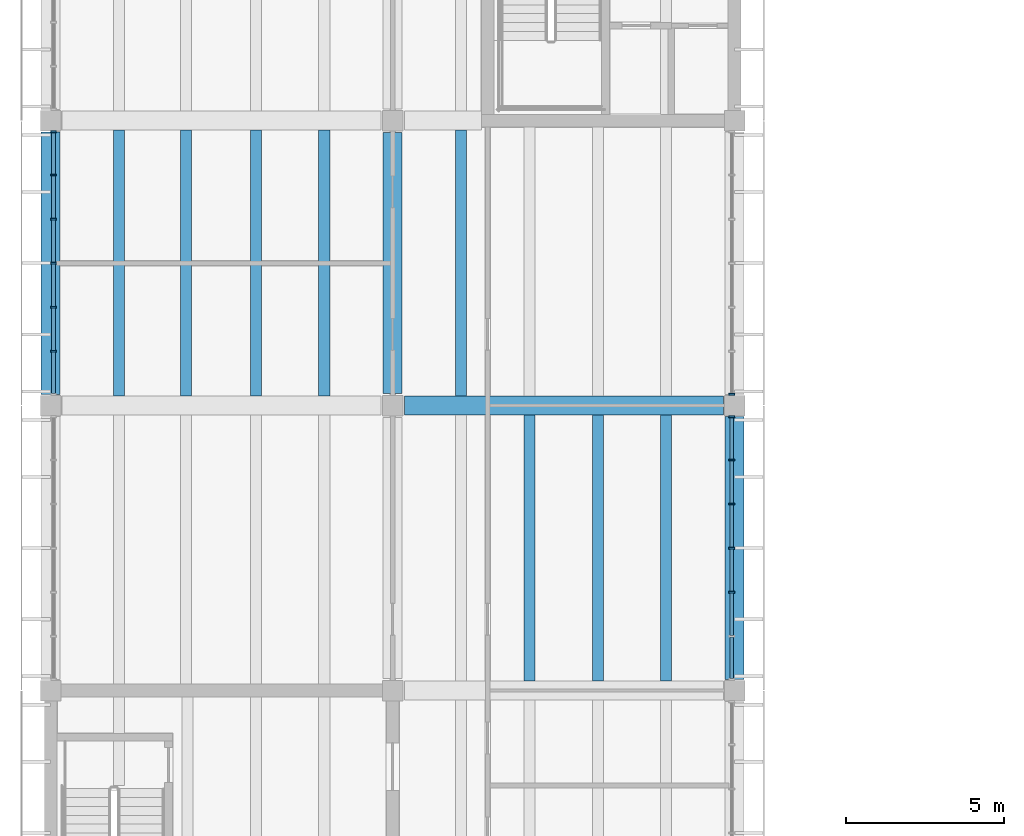
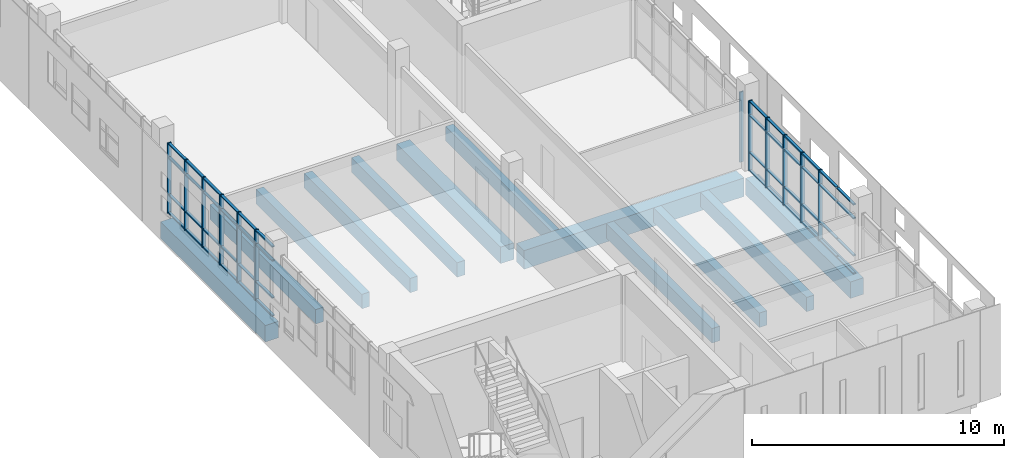
# One storey, part 13 of 92: 60 members, 12 beams, 3 elements without a shape of their own.
"""IFC4 building model written with IfcOpenShell, lengths in metres."""

from ifc_helpers import new_model, si_unit, direction, frame, origin, origin_2d, place, context, subcontext, project, spatial, rectangle, extrude, material, material_profile, profile_set, type_object, element, aggregate, save


model = new_model("IFC4")

# Units and contexts
model_context = context("Model", 3, precision=1e-05, world=origin(), true_north=direction((0.0, 1.0)))
body_context = subcontext(model_context, "Body", "Model", "MODEL_VIEW")
ifc_project = project(units=[si_unit("LENGTHUNIT", "METRE"), si_unit("AREAUNIT", "SQUARE_METRE"), si_unit("VOLUMEUNIT", "CUBIC_METRE"), si_unit("PLANEANGLEUNIT", "RADIAN"), si_unit("MASSUNIT", "GRAM", prefix="KILO")], contexts=[model_context])

# Site, building, storey
site_placement = place(None, origin())
site = spatial("IfcSite", under=ifc_project, at=site_placement, CompositionType="ELEMENT")
building_placement = place(site_placement, origin())
building = spatial("IfcBuilding", under=site, at=building_placement, Name="Merrow Basin Faculty of Sciences", CompositionType="ELEMENT")
storey_placement = place(building_placement, frame((0.0, 0.0, 4.5)))
storey = spatial("IfcBuildingStorey", under=building, at=storey_placement, Name="L01", CompositionType="ELEMENT", Elevation=4.5)

# Curtain wall, members
ifc_material_1 = material(Name="Aluminium alloy 6063", Category="aluminium")
curtain_wall_type = type_object("IfcCurtainWallType", Name="Bar unitised curtain wall 180", PredefinedType="NOTDEFINED", material=ifc_material_1)
curtain_wall_1_placement = place(storey_placement, origin())
curtain_wall_1 = element("IfcCurtainWall", 1, at=curtain_wall_1_placement, inside=storey, type_object=curtain_wall_type, Name="West curtain wall L01 2", PredefinedType="NOTDEFINED")
ifc_material_2 = material(Name="Aluminium alloy 6063", Category="aluminium")
ifc_material_profile_1 = material_profile(ifc_material_2, rectangle(XDim=0.179931640625, YDim=0.06005859375, at=origin_2d()))
ifc_profile_set_1 = profile_set([ifc_material_profile_1], Name="Aluminium alloy 6063")
member_type_1 = type_object("IfcMemberType", Name="Aluminium mullion 60x180", PredefinedType="MULLION", material=ifc_profile_set_1)
member_1_placement = place(storey_placement, frame((0.090087890625, 80.716552734375, 0.0), z_axis=(0.0, 0.0, 1.0), x_axis=(-1.0, 0.0, 0.0)))
member_1 = element("IfcMember", 2, at=member_1_placement, type_object=member_type_1, Name="CW1 mullion 2", PredefinedType="MULLION", context=body_context, shape_type="SweptSolid", body=[
    extrude(rectangle(XDim=0.179931640625, YDim=0.06005859375, at=origin_2d()), origin(), (0.0, 0.0, 1.0), 3.39990234375),
])
member_2_placement = place(storey_placement, frame((0.090087890625, 82.1083984375, 0.0), z_axis=(0.0, 0.0, 1.0), x_axis=(-1.0, 0.0, 0.0)))
member_2 = element("IfcMember", 3, at=member_2_placement, type_object=member_type_1, Name="CW1 mullion 3", PredefinedType="MULLION", context=body_context, shape_type="SweptSolid", body=[
    extrude(rectangle(XDim=0.179931640625, YDim=0.06005859375, at=origin_2d()), origin(), (0.0, 0.0, 1.0), 3.39990234375),
])
member_3_placement = place(storey_placement, frame((0.090087890625, 83.5, 0.0), z_axis=(0.0, 0.0, 1.0), x_axis=(-1.0, 0.0, 0.0)))
member_3 = element("IfcMember", 4, at=member_3_placement, type_object=member_type_1, Name="CW1 mullion 4", PredefinedType="MULLION", context=body_context, shape_type="SweptSolid", body=[
    extrude(rectangle(XDim=0.179931640625, YDim=0.06005859375, at=origin_2d()), origin(), (0.0, 0.0, 1.0), 3.39990234375),
])
member_4_placement = place(storey_placement, frame((0.090087890625, 84.8916015625, 0.0), z_axis=(0.0, 0.0, 1.0), x_axis=(-1.0, 0.0, 0.0)))
member_4 = element("IfcMember", 5, at=member_4_placement, type_object=member_type_1, Name="CW1 mullion 5", PredefinedType="MULLION", context=body_context, shape_type="SweptSolid", body=[
    extrude(rectangle(XDim=0.179931640625, YDim=0.06005859375, at=origin_2d()), origin(), (0.0, 0.0, 1.0), 3.39990234375),
])
member_5_placement = place(storey_placement, frame((0.090087890625, 86.283447265625, 0.0), z_axis=(0.0, 0.0, 1.0), x_axis=(-1.0, 0.0, 0.0)))
member_5 = element("IfcMember", 6, at=member_5_placement, type_object=member_type_1, Name="CW1 mullion 6", PredefinedType="MULLION", context=body_context, shape_type="SweptSolid", body=[
    extrude(rectangle(XDim=0.179931640625, YDim=0.06005859375, at=origin_2d()), origin(), (0.0, 0.0, 1.0), 3.39990234375),
])
member_6_placement = place(storey_placement, frame((0.090087890625, 87.64501953125, 0.0), z_axis=(0.0, 0.0, 1.0), x_axis=(-1.0, 0.0, 0.0)))
member_6 = element("IfcMember", 7, at=member_6_placement, type_object=member_type_1, Name="CW1 mullion 7", PredefinedType="MULLION", context=body_context, shape_type="SweptSolid", body=[
    extrude(rectangle(XDim=0.179931640625, YDim=0.06005859375, at=origin_2d()), origin(), (0.0, 0.0, 1.0), 3.39990234375),
])

curtain_wall_2_placement = place(storey_placement, origin())
curtain_wall_2 = element("IfcCurtainWall", 8, at=curtain_wall_2_placement, inside=storey, type_object=curtain_wall_type, Name="East curtain wall L01 2", PredefinedType="NOTDEFINED")
member_7_placement = place(storey_placement, frame((21.510009765625, 73.1083984375, 0.0), z_axis=(0.0, 0.0, 1.0), x_axis=(-1.0, 0.0, 0.0)))
member_7 = element("IfcMember", 9, at=member_7_placement, type_object=member_type_1, Name="CW1 mullion 3", PredefinedType="MULLION", context=body_context, shape_type="SweptSolid", body=[
    extrude(rectangle(XDim=0.179931640625, YDim=0.06005859375, at=origin_2d()), origin(), (0.0, 0.0, 1.0), 3.39990234375),
])
member_8_placement = place(storey_placement, frame((21.510009765625, 74.5, 0.0), z_axis=(0.0, 0.0, 1.0), x_axis=(-1.0, 0.0, 0.0)))
member_8 = element("IfcMember", 10, at=member_8_placement, type_object=member_type_1, Name="CW1 mullion 4", PredefinedType="MULLION", context=body_context, shape_type="SweptSolid", body=[
    extrude(rectangle(XDim=0.179931640625, YDim=0.06005859375, at=origin_2d()), origin(), (0.0, 0.0, 1.0), 3.39990234375),
])
member_9_placement = place(storey_placement, frame((21.510009765625, 75.8916015625, 0.0), z_axis=(0.0, 0.0, 1.0), x_axis=(-1.0, 0.0, 0.0)))
member_9 = element("IfcMember", 11, at=member_9_placement, type_object=member_type_1, Name="CW1 mullion 5", PredefinedType="MULLION", context=body_context, shape_type="SweptSolid", body=[
    extrude(rectangle(XDim=0.179931640625, YDim=0.06005859375, at=origin_2d()), origin(), (0.0, 0.0, 1.0), 3.39990234375),
])
member_10_placement = place(storey_placement, frame((21.510009765625, 77.283447265625, 0.0), z_axis=(0.0, 0.0, 1.0), x_axis=(-1.0, 0.0, 0.0)))
member_10 = element("IfcMember", 12, at=member_10_placement, type_object=member_type_1, Name="CW1 mullion 6", PredefinedType="MULLION", context=body_context, shape_type="SweptSolid", body=[
    extrude(rectangle(XDim=0.179931640625, YDim=0.06005859375, at=origin_2d()), origin(), (0.0, 0.0, 1.0), 3.39990234375),
])
member_11_placement = place(storey_placement, frame((21.510009765625, 78.64501953125, 0.0), z_axis=(0.0, 0.0, 1.0), x_axis=(-1.0, 0.0, 0.0)))
member_11 = element("IfcMember", 13, at=member_11_placement, type_object=member_type_1, Name="CW1 mullion 7", PredefinedType="MULLION", context=body_context, shape_type="SweptSolid", body=[
    extrude(rectangle(XDim=0.179931640625, YDim=0.06005859375, at=origin_2d()), origin(), (0.0, 0.0, 1.0), 3.39990234375),
])

# Curtain wall, member
curtain_wall_3_placement = place(storey_placement, origin())
curtain_wall_3 = element("IfcCurtainWall", 14, at=curtain_wall_3_placement, inside=storey, type_object=curtain_wall_type, Name="East curtain wall L01 3", PredefinedType="NOTDEFINED")
member_12_placement = place(storey_placement, frame((21.510009765625, 79.35498046875, 0.0), z_axis=(0.0, 0.0, 1.0), x_axis=(-1.0, 0.0, 0.0)))
member_12 = element("IfcMember", 15, at=member_12_placement, type_object=member_type_1, Name="CW1 mullion 1", PredefinedType="MULLION", context=body_context, shape_type="SweptSolid", body=[
    extrude(rectangle(XDim=0.179931640625, YDim=0.06005859375, at=origin_2d()), origin(), (0.0, 0.0, 1.0), 3.39990234375),
])
aggregate(curtain_wall_3, [member_12])

# Member
ifc_material_3 = material(Name="Aluminium alloy 6063", Category="aluminium")
ifc_material_profile_2 = material_profile(ifc_material_3, rectangle(XDim=0.1201171875, YDim=0.06005859375, at=origin_2d()))
ifc_profile_set_2 = profile_set([ifc_material_profile_2], Name="Aluminium alloy 6063")
member_type_2 = type_object("IfcMemberType", Name="Aluminium transom 60x120", PredefinedType="USERDEFINED", material=ifc_profile_set_2)
member_13_placement = place(storey_placement, frame((0.090087890625, 79.385009765625, 0.030029296875), z_axis=(0.0, 1.0, 0.0), x_axis=(-1.0, 0.0, 0.0)))
member_13 = element("IfcMember", 16, at=member_13_placement, type_object=member_type_2, Name="CW1 transom 1.1", ObjectType="TRANSOM", PredefinedType="USERDEFINED", context=body_context, shape_type="SweptSolid", body=[
    extrude(rectangle(XDim=0.1201171875, YDim=0.06005859375, at=origin_2d()), origin(), (0.0, 0.0, 1.0), 1.3017578125),
])

member_14_placement = place(storey_placement, frame((0.090087890625, 79.385009765625, 0.89990234375), z_axis=(0.0, 1.0, 0.0), x_axis=(-1.0, 0.0, 0.0)))
member_14 = element("IfcMember", 17, at=member_14_placement, type_object=member_type_2, Name="CW1 transom 1.2", ObjectType="TRANSOM", PredefinedType="USERDEFINED", context=body_context, shape_type="SweptSolid", body=[
    extrude(rectangle(XDim=0.1201171875, YDim=0.06005859375, at=origin_2d()), origin(), (0.0, 0.0, 1.0), 1.3017578125),
])

member_15_placement = place(storey_placement, frame((0.090087890625, 79.385009765625, 2.699951171875), z_axis=(0.0, 1.0, 0.0), x_axis=(-1.0, 0.0, 0.0)))
member_15 = element("IfcMember", 18, at=member_15_placement, type_object=member_type_2, Name="CW1 transom 1.3", ObjectType="TRANSOM", PredefinedType="USERDEFINED", context=body_context, shape_type="SweptSolid", body=[
    extrude(rectangle(XDim=0.1201171875, YDim=0.06005859375, at=origin_2d()), origin(), (0.0, 0.0, 1.0), 1.3017578125),
])

member_16_placement = place(storey_placement, frame((0.090087890625, 79.385009765625, 3.3701171875), z_axis=(0.0, 1.0, 0.0), x_axis=(-1.0, 0.0, 0.0)))
member_16 = element("IfcMember", 19, at=member_16_placement, type_object=member_type_2, Name="CW1 transom 1.4", ObjectType="TRANSOM", PredefinedType="USERDEFINED", context=body_context, shape_type="SweptSolid", body=[
    extrude(rectangle(XDim=0.1201171875, YDim=0.06005859375, at=origin_2d()), origin(), (0.0, 0.0, 1.0), 1.3017578125),
])

member_17_placement = place(storey_placement, frame((0.090087890625, 80.74658203125, 0.030029296875), z_axis=(0.0, 1.0, 0.0), x_axis=(-1.0, 0.0, 0.0)))
member_17 = element("IfcMember", 20, at=member_17_placement, type_object=member_type_2, Name="CW1 transom 2.1", ObjectType="TRANSOM", PredefinedType="USERDEFINED", context=body_context, shape_type="SweptSolid", body=[
    extrude(rectangle(XDim=0.1201171875, YDim=0.06005859375, at=origin_2d()), origin(), (0.0, 0.0, 1.0), 1.331787109375),
])

member_18_placement = place(storey_placement, frame((0.090087890625, 80.74658203125, 0.89990234375), z_axis=(0.0, 1.0, 0.0), x_axis=(-1.0, 0.0, 0.0)))
member_18 = element("IfcMember", 21, at=member_18_placement, type_object=member_type_2, Name="CW1 transom 2.2", ObjectType="TRANSOM", PredefinedType="USERDEFINED", context=body_context, shape_type="SweptSolid", body=[
    extrude(rectangle(XDim=0.1201171875, YDim=0.06005859375, at=origin_2d()), origin(), (0.0, 0.0, 1.0), 1.331787109375),
])

member_19_placement = place(storey_placement, frame((0.090087890625, 80.74658203125, 2.699951171875), z_axis=(0.0, 1.0, 0.0), x_axis=(-1.0, 0.0, 0.0)))
member_19 = element("IfcMember", 22, at=member_19_placement, type_object=member_type_2, Name="CW1 transom 2.3", ObjectType="TRANSOM", PredefinedType="USERDEFINED", context=body_context, shape_type="SweptSolid", body=[
    extrude(rectangle(XDim=0.1201171875, YDim=0.06005859375, at=origin_2d()), origin(), (0.0, 0.0, 1.0), 1.331787109375),
])

member_20_placement = place(storey_placement, frame((0.090087890625, 80.74658203125, 3.3701171875), z_axis=(0.0, 1.0, 0.0), x_axis=(-1.0, 0.0, 0.0)))
member_20 = element("IfcMember", 23, at=member_20_placement, type_object=member_type_2, Name="CW1 transom 2.4", ObjectType="TRANSOM", PredefinedType="USERDEFINED", context=body_context, shape_type="SweptSolid", body=[
    extrude(rectangle(XDim=0.1201171875, YDim=0.06005859375, at=origin_2d()), origin(), (0.0, 0.0, 1.0), 1.331787109375),
])

member_21_placement = place(storey_placement, frame((0.090087890625, 82.138427734375, 0.030029296875), z_axis=(0.0, 1.0, 0.0), x_axis=(-1.0, 0.0, 0.0)))
member_21 = element("IfcMember", 24, at=member_21_placement, type_object=member_type_2, Name="CW1 transom 3.1", ObjectType="TRANSOM", PredefinedType="USERDEFINED", context=body_context, shape_type="SweptSolid", body=[
    extrude(rectangle(XDim=0.1201171875, YDim=0.06005859375, at=origin_2d()), origin(), (0.0, 0.0, 1.0), 1.33154296875),
])

member_22_placement = place(storey_placement, frame((0.090087890625, 82.138427734375, 0.89990234375), z_axis=(0.0, 1.0, 0.0), x_axis=(-1.0, 0.0, 0.0)))
member_22 = element("IfcMember", 25, at=member_22_placement, type_object=member_type_2, Name="CW1 transom 3.2", ObjectType="TRANSOM", PredefinedType="USERDEFINED", context=body_context, shape_type="SweptSolid", body=[
    extrude(rectangle(XDim=0.1201171875, YDim=0.06005859375, at=origin_2d()), origin(), (0.0, 0.0, 1.0), 1.33154296875),
])

member_23_placement = place(storey_placement, frame((0.090087890625, 82.138427734375, 2.699951171875), z_axis=(0.0, 1.0, 0.0), x_axis=(-1.0, 0.0, 0.0)))
member_23 = element("IfcMember", 26, at=member_23_placement, type_object=member_type_2, Name="CW1 transom 3.3", ObjectType="TRANSOM", PredefinedType="USERDEFINED", context=body_context, shape_type="SweptSolid", body=[
    extrude(rectangle(XDim=0.1201171875, YDim=0.06005859375, at=origin_2d()), origin(), (0.0, 0.0, 1.0), 1.33154296875),
])

member_24_placement = place(storey_placement, frame((0.090087890625, 82.138427734375, 3.3701171875), z_axis=(0.0, 1.0, 0.0), x_axis=(-1.0, 0.0, 0.0)))
member_24 = element("IfcMember", 27, at=member_24_placement, type_object=member_type_2, Name="CW1 transom 3.4", ObjectType="TRANSOM", PredefinedType="USERDEFINED", context=body_context, shape_type="SweptSolid", body=[
    extrude(rectangle(XDim=0.1201171875, YDim=0.06005859375, at=origin_2d()), origin(), (0.0, 0.0, 1.0), 1.33154296875),
])

member_25_placement = place(storey_placement, frame((0.090087890625, 83.530029296875, 0.030029296875), z_axis=(0.0, 1.0, 0.0), x_axis=(-1.0, 0.0, 0.0)))
member_25 = element("IfcMember", 28, at=member_25_placement, type_object=member_type_2, Name="CW1 transom 4.1", ObjectType="TRANSOM", PredefinedType="USERDEFINED", context=body_context, shape_type="SweptSolid", body=[
    extrude(rectangle(XDim=0.1201171875, YDim=0.06005859375, at=origin_2d()), origin(), (0.0, 0.0, 1.0), 1.33154296875),
])

member_26_placement = place(storey_placement, frame((0.090087890625, 83.530029296875, 0.89990234375), z_axis=(0.0, 1.0, 0.0), x_axis=(-1.0, 0.0, 0.0)))
member_26 = element("IfcMember", 29, at=member_26_placement, type_object=member_type_2, Name="CW1 transom 4.2", ObjectType="TRANSOM", PredefinedType="USERDEFINED", context=body_context, shape_type="SweptSolid", body=[
    extrude(rectangle(XDim=0.1201171875, YDim=0.06005859375, at=origin_2d()), origin(), (0.0, 0.0, 1.0), 1.33154296875),
])

member_27_placement = place(storey_placement, frame((0.090087890625, 83.530029296875, 2.699951171875), z_axis=(0.0, 1.0, 0.0), x_axis=(-1.0, 0.0, 0.0)))
member_27 = element("IfcMember", 30, at=member_27_placement, type_object=member_type_2, Name="CW1 transom 4.3", ObjectType="TRANSOM", PredefinedType="USERDEFINED", context=body_context, shape_type="SweptSolid", body=[
    extrude(rectangle(XDim=0.1201171875, YDim=0.06005859375, at=origin_2d()), origin(), (0.0, 0.0, 1.0), 1.33154296875),
])

member_28_placement = place(storey_placement, frame((0.090087890625, 83.530029296875, 3.3701171875), z_axis=(0.0, 1.0, 0.0), x_axis=(-1.0, 0.0, 0.0)))
member_28 = element("IfcMember", 31, at=member_28_placement, type_object=member_type_2, Name="CW1 transom 4.4", ObjectType="TRANSOM", PredefinedType="USERDEFINED", context=body_context, shape_type="SweptSolid", body=[
    extrude(rectangle(XDim=0.1201171875, YDim=0.06005859375, at=origin_2d()), origin(), (0.0, 0.0, 1.0), 1.33154296875),
])

member_29_placement = place(storey_placement, frame((0.090087890625, 84.921630859375, 0.030029296875), z_axis=(0.0, 1.0, 0.0), x_axis=(-1.0, 0.0, 0.0)))
member_29 = element("IfcMember", 32, at=member_29_placement, type_object=member_type_2, Name="CW1 transom 5.1", ObjectType="TRANSOM", PredefinedType="USERDEFINED", context=body_context, shape_type="SweptSolid", body=[
    extrude(rectangle(XDim=0.1201171875, YDim=0.06005859375, at=origin_2d()), origin(), (0.0, 0.0, 1.0), 1.331787109375),
])

member_30_placement = place(storey_placement, frame((0.090087890625, 84.921630859375, 0.89990234375), z_axis=(0.0, 1.0, 0.0), x_axis=(-1.0, 0.0, 0.0)))
member_30 = element("IfcMember", 33, at=member_30_placement, type_object=member_type_2, Name="CW1 transom 5.2", ObjectType="TRANSOM", PredefinedType="USERDEFINED", context=body_context, shape_type="SweptSolid", body=[
    extrude(rectangle(XDim=0.1201171875, YDim=0.06005859375, at=origin_2d()), origin(), (0.0, 0.0, 1.0), 1.331787109375),
])

member_31_placement = place(storey_placement, frame((0.090087890625, 84.921630859375, 2.699951171875), z_axis=(0.0, 1.0, 0.0), x_axis=(-1.0, 0.0, 0.0)))
member_31 = element("IfcMember", 34, at=member_31_placement, type_object=member_type_2, Name="CW1 transom 5.3", ObjectType="TRANSOM", PredefinedType="USERDEFINED", context=body_context, shape_type="SweptSolid", body=[
    extrude(rectangle(XDim=0.1201171875, YDim=0.06005859375, at=origin_2d()), origin(), (0.0, 0.0, 1.0), 1.331787109375),
])

member_32_placement = place(storey_placement, frame((0.090087890625, 84.921630859375, 3.3701171875), z_axis=(0.0, 1.0, 0.0), x_axis=(-1.0, 0.0, 0.0)))
member_32 = element("IfcMember", 35, at=member_32_placement, type_object=member_type_2, Name="CW1 transom 5.4", ObjectType="TRANSOM", PredefinedType="USERDEFINED", context=body_context, shape_type="SweptSolid", body=[
    extrude(rectangle(XDim=0.1201171875, YDim=0.06005859375, at=origin_2d()), origin(), (0.0, 0.0, 1.0), 1.331787109375),
])

member_33_placement = place(storey_placement, frame((0.090087890625, 86.313232421875, 0.030029296875), z_axis=(0.0, 1.0, 0.0), x_axis=(-1.0, 0.0, 0.0)))
member_33 = element("IfcMember", 36, at=member_33_placement, type_object=member_type_2, Name="CW1 transom 6.1", ObjectType="TRANSOM", PredefinedType="USERDEFINED", context=body_context, shape_type="SweptSolid", body=[
    extrude(rectangle(XDim=0.1201171875, YDim=0.06005859375, at=origin_2d()), origin(), (0.0, 0.0, 1.0), 1.3017578125),
])

member_34_placement = place(storey_placement, frame((0.090087890625, 86.313232421875, 0.89990234375), z_axis=(0.0, 1.0, 0.0), x_axis=(-1.0, 0.0, 0.0)))
member_34 = element("IfcMember", 37, at=member_34_placement, type_object=member_type_2, Name="CW1 transom 6.2", ObjectType="TRANSOM", PredefinedType="USERDEFINED", context=body_context, shape_type="SweptSolid", body=[
    extrude(rectangle(XDim=0.1201171875, YDim=0.06005859375, at=origin_2d()), origin(), (0.0, 0.0, 1.0), 1.3017578125),
])

member_35_placement = place(storey_placement, frame((0.090087890625, 86.313232421875, 2.699951171875), z_axis=(0.0, 1.0, 0.0), x_axis=(-1.0, 0.0, 0.0)))
member_35 = element("IfcMember", 38, at=member_35_placement, type_object=member_type_2, Name="CW1 transom 6.3", ObjectType="TRANSOM", PredefinedType="USERDEFINED", context=body_context, shape_type="SweptSolid", body=[
    extrude(rectangle(XDim=0.1201171875, YDim=0.06005859375, at=origin_2d()), origin(), (0.0, 0.0, 1.0), 1.3017578125),
])

member_36_placement = place(storey_placement, frame((0.090087890625, 86.313232421875, 3.3701171875), z_axis=(0.0, 1.0, 0.0), x_axis=(-1.0, 0.0, 0.0)))
member_36 = element("IfcMember", 39, at=member_36_placement, type_object=member_type_2, Name="CW1 transom 6.4", ObjectType="TRANSOM", PredefinedType="USERDEFINED", context=body_context, shape_type="SweptSolid", body=[
    extrude(rectangle(XDim=0.1201171875, YDim=0.06005859375, at=origin_2d()), origin(), (0.0, 0.0, 1.0), 1.3017578125),
])

aggregate(curtain_wall_1, [member_1, member_2, member_3, member_4, member_5, member_6, member_13, member_14, member_15, member_16, member_17, member_18, member_19, member_20, member_21, member_22, member_23, member_24, member_25, member_26, member_27, member_28, member_29, member_30, member_31, member_32, member_33, member_34, member_35, member_36])

member_37_placement = place(storey_placement, frame((21.510009765625, 70.385009765625, 0.030029296875), z_axis=(0.0, 1.0, 0.0), x_axis=(-1.0, 0.0, 0.0)))
member_37 = element("IfcMember", 40, at=member_37_placement, type_object=member_type_2, Name="CW1 transom 1.1", ObjectType="TRANSOM", PredefinedType="USERDEFINED", context=body_context, shape_type="SweptSolid", body=[
    extrude(rectangle(XDim=0.1201171875, YDim=0.06005859375, at=origin_2d()), origin(), (0.0, 0.0, 1.0), 1.3017578125),
])

member_38_placement = place(storey_placement, frame((21.510009765625, 70.385009765625, 0.89990234375), z_axis=(0.0, 1.0, 0.0), x_axis=(-1.0, 0.0, 0.0)))
member_38 = element("IfcMember", 41, at=member_38_placement, type_object=member_type_2, Name="CW1 transom 1.2", ObjectType="TRANSOM", PredefinedType="USERDEFINED", context=body_context, shape_type="SweptSolid", body=[
    extrude(rectangle(XDim=0.1201171875, YDim=0.06005859375, at=origin_2d()), origin(), (0.0, 0.0, 1.0), 1.3017578125),
])

member_39_placement = place(storey_placement, frame((21.510009765625, 70.385009765625, 2.699951171875), z_axis=(0.0, 1.0, 0.0), x_axis=(-1.0, 0.0, 0.0)))
member_39 = element("IfcMember", 42, at=member_39_placement, type_object=member_type_2, Name="CW1 transom 1.3", ObjectType="TRANSOM", PredefinedType="USERDEFINED", context=body_context, shape_type="SweptSolid", body=[
    extrude(rectangle(XDim=0.1201171875, YDim=0.06005859375, at=origin_2d()), origin(), (0.0, 0.0, 1.0), 1.3017578125),
])

member_40_placement = place(storey_placement, frame((21.510009765625, 70.385009765625, 3.3701171875), z_axis=(0.0, 1.0, 0.0), x_axis=(-1.0, 0.0, 0.0)))
member_40 = element("IfcMember", 43, at=member_40_placement, type_object=member_type_2, Name="CW1 transom 1.4", ObjectType="TRANSOM", PredefinedType="USERDEFINED", context=body_context, shape_type="SweptSolid", body=[
    extrude(rectangle(XDim=0.1201171875, YDim=0.06005859375, at=origin_2d()), origin(), (0.0, 0.0, 1.0), 1.3017578125),
])

member_41_placement = place(storey_placement, frame((21.510009765625, 71.74658203125, 0.030029296875), z_axis=(0.0, 1.0, 0.0), x_axis=(-1.0, 0.0, 0.0)))
member_41 = element("IfcMember", 44, at=member_41_placement, type_object=member_type_2, Name="CW1 transom 2.1", ObjectType="TRANSOM", PredefinedType="USERDEFINED", context=body_context, shape_type="SweptSolid", body=[
    extrude(rectangle(XDim=0.1201171875, YDim=0.06005859375, at=origin_2d()), origin(), (0.0, 0.0, 1.0), 1.331787109375),
])

member_42_placement = place(storey_placement, frame((21.510009765625, 71.74658203125, 0.89990234375), z_axis=(0.0, 1.0, 0.0), x_axis=(-1.0, 0.0, 0.0)))
member_42 = element("IfcMember", 45, at=member_42_placement, type_object=member_type_2, Name="CW1 transom 2.2", ObjectType="TRANSOM", PredefinedType="USERDEFINED", context=body_context, shape_type="SweptSolid", body=[
    extrude(rectangle(XDim=0.1201171875, YDim=0.06005859375, at=origin_2d()), origin(), (0.0, 0.0, 1.0), 1.331787109375),
])

member_43_placement = place(storey_placement, frame((21.510009765625, 71.74658203125, 2.699951171875), z_axis=(0.0, 1.0, 0.0), x_axis=(-1.0, 0.0, 0.0)))
member_43 = element("IfcMember", 46, at=member_43_placement, type_object=member_type_2, Name="CW1 transom 2.3", ObjectType="TRANSOM", PredefinedType="USERDEFINED", context=body_context, shape_type="SweptSolid", body=[
    extrude(rectangle(XDim=0.1201171875, YDim=0.06005859375, at=origin_2d()), origin(), (0.0, 0.0, 1.0), 1.331787109375),
])

member_44_placement = place(storey_placement, frame((21.510009765625, 71.74658203125, 3.3701171875), z_axis=(0.0, 1.0, 0.0), x_axis=(-1.0, 0.0, 0.0)))
member_44 = element("IfcMember", 47, at=member_44_placement, type_object=member_type_2, Name="CW1 transom 2.4", ObjectType="TRANSOM", PredefinedType="USERDEFINED", context=body_context, shape_type="SweptSolid", body=[
    extrude(rectangle(XDim=0.1201171875, YDim=0.06005859375, at=origin_2d()), origin(), (0.0, 0.0, 1.0), 1.331787109375),
])

member_45_placement = place(storey_placement, frame((21.510009765625, 73.138427734375, 0.030029296875), z_axis=(0.0, 1.0, 0.0), x_axis=(-1.0, 0.0, 0.0)))
member_45 = element("IfcMember", 48, at=member_45_placement, type_object=member_type_2, Name="CW1 transom 3.1", ObjectType="TRANSOM", PredefinedType="USERDEFINED", context=body_context, shape_type="SweptSolid", body=[
    extrude(rectangle(XDim=0.1201171875, YDim=0.06005859375, at=origin_2d()), origin(), (0.0, 0.0, 1.0), 1.33154296875),
])

member_46_placement = place(storey_placement, frame((21.510009765625, 73.138427734375, 0.89990234375), z_axis=(0.0, 1.0, 0.0), x_axis=(-1.0, 0.0, 0.0)))
member_46 = element("IfcMember", 49, at=member_46_placement, type_object=member_type_2, Name="CW1 transom 3.2", ObjectType="TRANSOM", PredefinedType="USERDEFINED", context=body_context, shape_type="SweptSolid", body=[
    extrude(rectangle(XDim=0.1201171875, YDim=0.06005859375, at=origin_2d()), origin(), (0.0, 0.0, 1.0), 1.33154296875),
])

member_47_placement = place(storey_placement, frame((21.510009765625, 73.138427734375, 2.699951171875), z_axis=(0.0, 1.0, 0.0), x_axis=(-1.0, 0.0, 0.0)))
member_47 = element("IfcMember", 50, at=member_47_placement, type_object=member_type_2, Name="CW1 transom 3.3", ObjectType="TRANSOM", PredefinedType="USERDEFINED", context=body_context, shape_type="SweptSolid", body=[
    extrude(rectangle(XDim=0.1201171875, YDim=0.06005859375, at=origin_2d()), origin(), (0.0, 0.0, 1.0), 1.33154296875),
])

member_48_placement = place(storey_placement, frame((21.510009765625, 73.138427734375, 3.3701171875), z_axis=(0.0, 1.0, 0.0), x_axis=(-1.0, 0.0, 0.0)))
member_48 = element("IfcMember", 51, at=member_48_placement, type_object=member_type_2, Name="CW1 transom 3.4", ObjectType="TRANSOM", PredefinedType="USERDEFINED", context=body_context, shape_type="SweptSolid", body=[
    extrude(rectangle(XDim=0.1201171875, YDim=0.06005859375, at=origin_2d()), origin(), (0.0, 0.0, 1.0), 1.33154296875),
])

member_49_placement = place(storey_placement, frame((21.510009765625, 74.530029296875, 0.030029296875), z_axis=(0.0, 1.0, 0.0), x_axis=(-1.0, 0.0, 0.0)))
member_49 = element("IfcMember", 52, at=member_49_placement, type_object=member_type_2, Name="CW1 transom 4.1", ObjectType="TRANSOM", PredefinedType="USERDEFINED", context=body_context, shape_type="SweptSolid", body=[
    extrude(rectangle(XDim=0.1201171875, YDim=0.06005859375, at=origin_2d()), origin(), (0.0, 0.0, 1.0), 1.33154296875),
])

member_50_placement = place(storey_placement, frame((21.510009765625, 74.530029296875, 0.89990234375), z_axis=(0.0, 1.0, 0.0), x_axis=(-1.0, 0.0, 0.0)))
member_50 = element("IfcMember", 53, at=member_50_placement, type_object=member_type_2, Name="CW1 transom 4.2", ObjectType="TRANSOM", PredefinedType="USERDEFINED", context=body_context, shape_type="SweptSolid", body=[
    extrude(rectangle(XDim=0.1201171875, YDim=0.06005859375, at=origin_2d()), origin(), (0.0, 0.0, 1.0), 1.33154296875),
])

member_51_placement = place(storey_placement, frame((21.510009765625, 74.530029296875, 2.699951171875), z_axis=(0.0, 1.0, 0.0), x_axis=(-1.0, 0.0, 0.0)))
member_51 = element("IfcMember", 54, at=member_51_placement, type_object=member_type_2, Name="CW1 transom 4.3", ObjectType="TRANSOM", PredefinedType="USERDEFINED", context=body_context, shape_type="SweptSolid", body=[
    extrude(rectangle(XDim=0.1201171875, YDim=0.06005859375, at=origin_2d()), origin(), (0.0, 0.0, 1.0), 1.33154296875),
])

member_52_placement = place(storey_placement, frame((21.510009765625, 74.530029296875, 3.3701171875), z_axis=(0.0, 1.0, 0.0), x_axis=(-1.0, 0.0, 0.0)))
member_52 = element("IfcMember", 55, at=member_52_placement, type_object=member_type_2, Name="CW1 transom 4.4", ObjectType="TRANSOM", PredefinedType="USERDEFINED", context=body_context, shape_type="SweptSolid", body=[
    extrude(rectangle(XDim=0.1201171875, YDim=0.06005859375, at=origin_2d()), origin(), (0.0, 0.0, 1.0), 1.33154296875),
])

member_53_placement = place(storey_placement, frame((21.510009765625, 75.921630859375, 0.030029296875), z_axis=(0.0, 1.0, 0.0), x_axis=(-1.0, 0.0, 0.0)))
member_53 = element("IfcMember", 56, at=member_53_placement, type_object=member_type_2, Name="CW1 transom 5.1", ObjectType="TRANSOM", PredefinedType="USERDEFINED", context=body_context, shape_type="SweptSolid", body=[
    extrude(rectangle(XDim=0.1201171875, YDim=0.06005859375, at=origin_2d()), origin(), (0.0, 0.0, 1.0), 1.331787109375),
])

member_54_placement = place(storey_placement, frame((21.510009765625, 75.921630859375, 0.89990234375), z_axis=(0.0, 1.0, 0.0), x_axis=(-1.0, 0.0, 0.0)))
member_54 = element("IfcMember", 57, at=member_54_placement, type_object=member_type_2, Name="CW1 transom 5.2", ObjectType="TRANSOM", PredefinedType="USERDEFINED", context=body_context, shape_type="SweptSolid", body=[
    extrude(rectangle(XDim=0.1201171875, YDim=0.06005859375, at=origin_2d()), origin(), (0.0, 0.0, 1.0), 1.331787109375),
])

member_55_placement = place(storey_placement, frame((21.510009765625, 75.921630859375, 2.699951171875), z_axis=(0.0, 1.0, 0.0), x_axis=(-1.0, 0.0, 0.0)))
member_55 = element("IfcMember", 58, at=member_55_placement, type_object=member_type_2, Name="CW1 transom 5.3", ObjectType="TRANSOM", PredefinedType="USERDEFINED", context=body_context, shape_type="SweptSolid", body=[
    extrude(rectangle(XDim=0.1201171875, YDim=0.06005859375, at=origin_2d()), origin(), (0.0, 0.0, 1.0), 1.331787109375),
])

member_56_placement = place(storey_placement, frame((21.510009765625, 75.921630859375, 3.3701171875), z_axis=(0.0, 1.0, 0.0), x_axis=(-1.0, 0.0, 0.0)))
member_56 = element("IfcMember", 59, at=member_56_placement, type_object=member_type_2, Name="CW1 transom 5.4", ObjectType="TRANSOM", PredefinedType="USERDEFINED", context=body_context, shape_type="SweptSolid", body=[
    extrude(rectangle(XDim=0.1201171875, YDim=0.06005859375, at=origin_2d()), origin(), (0.0, 0.0, 1.0), 1.331787109375),
])

member_57_placement = place(storey_placement, frame((21.510009765625, 77.313232421875, 0.030029296875), z_axis=(0.0, 1.0, 0.0), x_axis=(-1.0, 0.0, 0.0)))
member_57 = element("IfcMember", 60, at=member_57_placement, type_object=member_type_2, Name="CW1 transom 6.1", ObjectType="TRANSOM", PredefinedType="USERDEFINED", context=body_context, shape_type="SweptSolid", body=[
    extrude(rectangle(XDim=0.1201171875, YDim=0.06005859375, at=origin_2d()), origin(), (0.0, 0.0, 1.0), 1.3017578125),
])

member_58_placement = place(storey_placement, frame((21.510009765625, 77.313232421875, 0.89990234375), z_axis=(0.0, 1.0, 0.0), x_axis=(-1.0, 0.0, 0.0)))
member_58 = element("IfcMember", 61, at=member_58_placement, type_object=member_type_2, Name="CW1 transom 6.2", ObjectType="TRANSOM", PredefinedType="USERDEFINED", context=body_context, shape_type="SweptSolid", body=[
    extrude(rectangle(XDim=0.1201171875, YDim=0.06005859375, at=origin_2d()), origin(), (0.0, 0.0, 1.0), 1.3017578125),
])

member_59_placement = place(storey_placement, frame((21.510009765625, 77.313232421875, 2.699951171875), z_axis=(0.0, 1.0, 0.0), x_axis=(-1.0, 0.0, 0.0)))
member_59 = element("IfcMember", 62, at=member_59_placement, type_object=member_type_2, Name="CW1 transom 6.3", ObjectType="TRANSOM", PredefinedType="USERDEFINED", context=body_context, shape_type="SweptSolid", body=[
    extrude(rectangle(XDim=0.1201171875, YDim=0.06005859375, at=origin_2d()), origin(), (0.0, 0.0, 1.0), 1.3017578125),
])

member_60_placement = place(storey_placement, frame((21.510009765625, 77.313232421875, 3.3701171875), z_axis=(0.0, 1.0, 0.0), x_axis=(-1.0, 0.0, 0.0)))
member_60 = element("IfcMember", 63, at=member_60_placement, type_object=member_type_2, Name="CW1 transom 6.4", ObjectType="TRANSOM", PredefinedType="USERDEFINED", context=body_context, shape_type="SweptSolid", body=[
    extrude(rectangle(XDim=0.1201171875, YDim=0.06005859375, at=origin_2d()), origin(), (0.0, 0.0, 1.0), 1.3017578125),
])

aggregate(curtain_wall_2, [member_7, member_8, member_9, member_10, member_11, member_37, member_38, member_39, member_40, member_41, member_42, member_43, member_44, member_45, member_46, member_47, member_48, member_49, member_50, member_51, member_52, member_53, member_54, member_55, member_56, member_57, member_58, member_59, member_60])

# Beams
ifc_material_4 = material(Name="Concrete C40/50", Category="concrete")
ifc_material_profile_3 = material_profile(ifc_material_4, rectangle(XDim=0.60009765625, YDim=0.800048828125, at=origin_2d()))
ifc_profile_set_3 = profile_set([ifc_material_profile_3], Name="Concrete C40/50")
beam_type_1 = type_object("IfcBeamType", Name="Beam RC600x800 C40/50", PredefinedType="BEAM", material=ifc_profile_set_3)
beam_1_placement = place(storey_placement, frame((0.0, 79.35009765625, -0.699951171875), z_axis=(0.0, 1.0, 0.0), x_axis=(-1.0, 0.0, 0.0)))
element("IfcBeam", 64, at=beam_1_placement, inside=storey, type_object=beam_type_1, Name="B2 L01 016", PredefinedType="BEAM", context=body_context, shape_type="SweptSolid", body=[
    extrude(rectangle(XDim=0.60009765625, YDim=0.800048828125, at=origin_2d()), origin(), (0.0, 0.0, 1.0), 8.2998046875),
])
beam_2_placement = place(storey_placement, frame((10.800048828125, 79.375, -0.699951171875), z_axis=(0.0, 1.0, 0.0), x_axis=(-1.0, 0.0, 0.0)))
element("IfcBeam", 65, at=beam_2_placement, inside=storey, type_object=beam_type_1, Name="B2 L01 023", PredefinedType="BEAM", context=body_context, shape_type="SweptSolid", body=[
    extrude(rectangle(XDim=0.60009765625, YDim=0.800048828125, at=origin_2d()), origin(), (0.0, 0.0, 1.0), 8.25),
])
beam_3_placement = place(storey_placement, frame((21.60009765625, 70.35009765625, -0.699951171875), z_axis=(0.0, 1.0, 0.0), x_axis=(-1.0, 0.0, 0.0)))
element("IfcBeam", 66, at=beam_3_placement, inside=storey, type_object=beam_type_1, Name="B2 L01 029", PredefinedType="BEAM", context=body_context, shape_type="SweptSolid", body=[
    extrude(rectangle(XDim=0.60009765625, YDim=0.800048828125, at=origin_2d()), origin(), (0.0, 0.0, 1.0), 8.2998046875),
])
ifc_material_5 = material(Name="Concrete C40/50", Category="concrete")
ifc_material_profile_4 = material_profile(ifc_material_5, rectangle(XDim=0.60009765625, YDim=0.89990234375, at=origin_2d()))
ifc_profile_set_4 = profile_set([ifc_material_profile_4], Name="Concrete C40/50")
beam_type_2 = type_object("IfcBeamType", Name="Beam RC600x900 C40/50", PredefinedType="BEAM", material=ifc_profile_set_4)
beam_4_placement = place(storey_placement, frame((11.175048828125, 79.0, -0.75), z_axis=(1.0, 0.0, 0.0), x_axis=(0.0, 1.0, 0.0)))
element("IfcBeam", 67, at=beam_4_placement, inside=storey, type_object=beam_type_2, Name="B1 L01 004", PredefinedType="BEAM", context=body_context, shape_type="SweptSolid", body=[
    extrude(rectangle(XDim=0.60009765625, YDim=0.89990234375, at=origin_2d()), origin(), (0.0, 0.0, 1.0), 10.074951171875),
])
ifc_material_6 = material(Name="Concrete C40/50", Category="concrete")
ifc_material_profile_5 = material_profile(ifc_material_6, rectangle(XDim=0.35009765625, YDim=0.699951171875, at=origin_2d()))
ifc_profile_set_5 = profile_set([ifc_material_profile_5], Name="Concrete C40/50")
beam_type_3 = type_object("IfcBeamType", Name="Laboratory plant-floor joist RC350x700 C40/50", PredefinedType="BEAM", material=ifc_profile_set_5)
for number, where, z_axis, x_axis, name in (
    (68, (2.159912109375, 79.300048828125, -0.64990234375), (0.0, 1.0, 0.0), (-1.0, 0.0, 0.0), "JP1 L01 043"),
    (69, (4.27490234375, 79.300048828125, -0.64990234375), (0.0, 1.0, 0.0), (-1.0, 0.0, 0.0), "JP1 L01 044"),
    (70, (6.47998046875, 79.300048828125, -0.64990234375), (0.0, 1.0, 0.0), (-1.0, 0.0, 0.0), "JP1 L01 045"),
    (71, (8.639892578125, 79.300048828125, -0.64990234375), (0.0, 1.0, 0.0), (-1.0, 0.0, 0.0), "JP1 L01 046"),
    (72, (15.1201171875, 70.300048828125, -0.64990234375), (0.0, 1.0, 0.0), (-1.0, 0.0, 0.0), "JP1 L01 072"),
    (73, (17.280029296875, 70.300048828125, -0.64990234375), (0.0, 1.0, 0.0), (-1.0, 0.0, 0.0), "JP1 L01 073"),
    (74, (19.43994140625, 70.300048828125, -0.64990234375), (0.0, 1.0, 0.0), (-1.0, 0.0, 0.0), "JP1 L01 074"),
    (75, (12.9599609375, 79.300048828125, -0.64990234375), (0.0, 1.0, 0.0), (-1.0, 0.0, 0.0), "JP1 L01 075"),
):
    element("IfcBeam", number, at=place(storey_placement, frame(where, z_axis=z_axis, x_axis=x_axis)), inside=storey, type_object=beam_type_3, Name=name, PredefinedType="BEAM", context=body_context, shape_type="SweptSolid", body=[
        extrude(rectangle(XDim=0.35009765625, YDim=0.699951171875, at=origin_2d()), origin(), (0.0, 0.0, 1.0), 8.39990234375),
    ])

save(model, "model.ifc")
